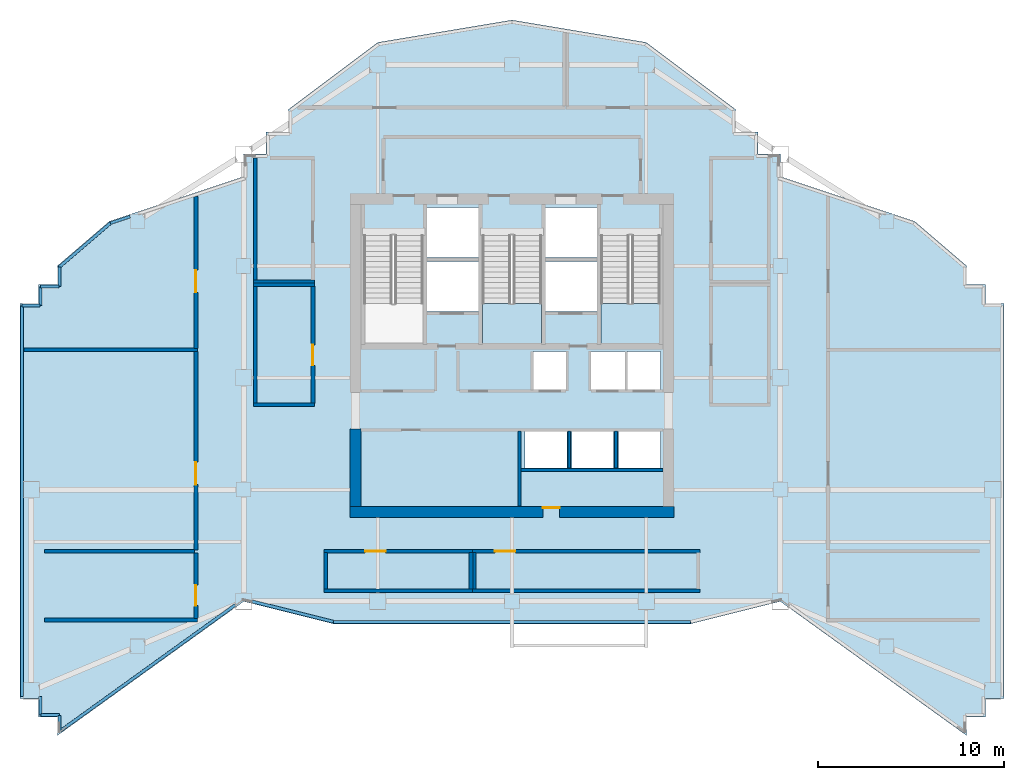
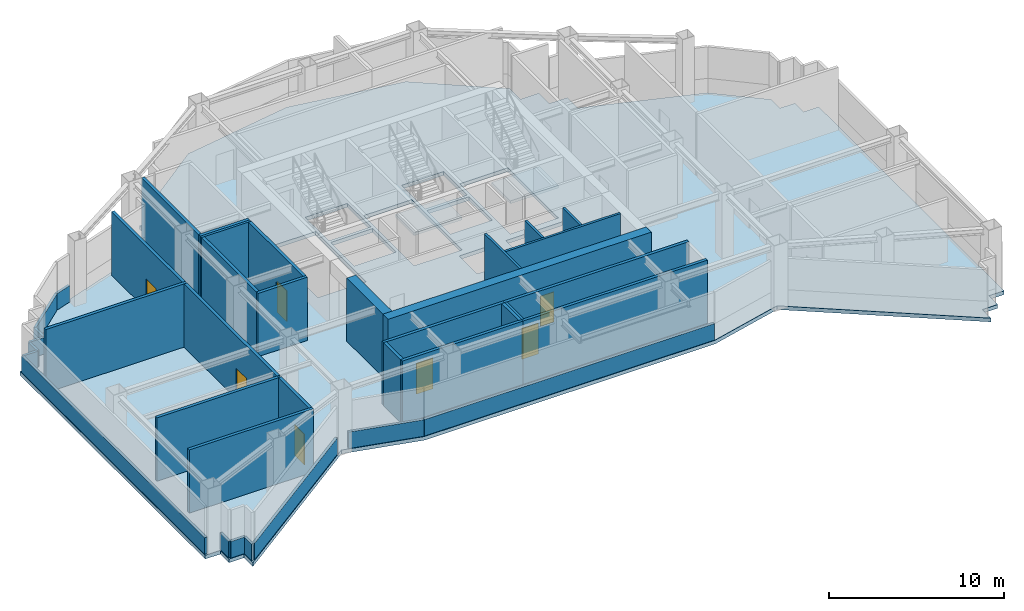
# One storey, part 2 of 9: 38 walls, 7 doors, 3 slabs, 7 openings, 2 elements without a shape of their own.
"""IFC4 building model written with IfcOpenShell, lengths in metres."""

from ifc_helpers import new_model, si_unit, direction, frame, frame_2d, origin, place, context, subcontext, project, spatial, polyline, rectangle, outline, extrude, material, layer, layer_set, type_object, element, fill, aggregate, save


model = new_model("IFC4")

# Units and contexts
model_context = context("Model", 3, precision=1e-05, world=origin(), true_north=direction((0.0, 1.0)))
body_context = subcontext(model_context, "Body", "Model", "MODEL_VIEW")
ifc_project = project(units=[si_unit("LENGTHUNIT", "METRE"), si_unit("AREAUNIT", "SQUARE_METRE"), si_unit("VOLUMEUNIT", "CUBIC_METRE"), si_unit("PLANEANGLEUNIT", "RADIAN"), si_unit("MASSUNIT", "GRAM", prefix="KILO")], contexts=[model_context])

# Site, building, storey
site_placement = place(None, origin())
site = spatial("IfcSite", under=ifc_project, at=site_placement, CompositionType="ELEMENT")
building_placement = place(site_placement, origin())
building = spatial("IfcBuilding", under=site, at=building_placement, Name="Haolan Belvedere Tower", CompositionType="ELEMENT")
storey_placement = place(building_placement, frame((0.0, 0.0, 207.0)))
storey = spatial("IfcBuildingStorey", under=building, at=storey_placement, Name="L52", CompositionType="ELEMENT", Elevation=207.0)

# Slab
ifc_material_1 = material(Name="Concrete C45/55", Category="concrete")
ifc_layer_1 = layer(ifc_material_1, 0.260009765625, Name="Concrete C45/55")
ifc_layer_set_1 = layer_set([ifc_layer_1], Name="Concrete C45/55")
slab_type_1 = type_object("IfcSlabType", Name="SL-FLR-260", PredefinedType="FLOOR", material=ifc_layer_set_1)
slab_1_placement = place(storey_placement, frame((0.0, 0.0, -0.260009765625)))
element("IfcSlab", 1, at=slab_1_placement, inside=storey, type_object=slab_type_1, Name="L52 structural floor slab", PredefinedType="FLOOR", context=body_context, shape_type="SweptSolid", body=[
    extrude(outline(polyline([(24.0, 21.60009765625), (28.800048828125, 20.39990234375), (48.0, 20.39990234375), (52.800048828125, 21.60009765625), (62.800048828125, 14.39990234375), (62.800048828125, 15.39990234375), (63.800048828125, 15.39990234375), (63.800048828125, 16.39990234375), (64.800048828125, 16.39990234375), (64.800048828125, 37.60009765625), (63.800048828125, 37.60009765625), (63.800048828125, 38.60009765625), (62.800048828125, 38.60009765625), (62.800048828125, 39.60009765625), (60.0, 42.0), (52.800048828125, 44.39990234375), (52.800048828125, 45.60009765625), (51.60009765625, 45.60009765625), (51.60009765625, 46.800048828125), (50.39990234375, 46.800048828125), (50.39990234375, 48.0), (45.60009765625, 51.60009765625), (38.39990234375, 52.800048828125), (31.199951171875, 51.60009765625), (26.39990234375, 48.0), (26.39990234375, 46.800048828125), (25.199951171875, 46.800048828125), (25.199951171875, 45.60009765625), (24.0, 45.60009765625), (24.0, 44.39990234375), (16.800048828125, 42.0), (14.0, 39.60009765625), (14.0, 38.60009765625), (13.0, 38.60009765625), (13.0, 37.60009765625), (12.0, 37.60009765625), (12.0, 16.800048828125), (12.0, 16.39990234375), (13.0, 16.39990234375), (13.0, 15.39990234375), (14.0, 15.39990234375), (14.0, 14.39990234375), (24.0, 21.60009765625)]), holes=[polyline([(30.449951171875, 41.22998046875), (30.449951171875, 35.449951171875), (33.6298828125, 35.449951171875), (33.6298828125, 41.22998046875), (30.449951171875, 41.22998046875)]), polyline([(36.81005859375, 41.22998046875), (36.81005859375, 35.449951171875), (39.989990234375, 35.449951171875), (39.989990234375, 41.22998046875), (36.81005859375, 41.22998046875)]), polyline([(43.169921875, 41.22998046875), (43.169921875, 35.449951171875), (46.35009765625, 35.449951171875), (46.35009765625, 41.22998046875), (43.169921875, 41.22998046875)]), polyline([(33.830078125, 40.050048828125), (36.610107421875, 40.050048828125), (36.610107421875, 42.75), (33.830078125, 42.75), (33.830078125, 40.050048828125)]), polyline([(33.830078125, 37.14990234375), (36.610107421875, 37.14990234375), (36.610107421875, 39.85009765625), (33.830078125, 39.85009765625), (33.830078125, 37.14990234375)]), polyline([(40.18994140625, 40.050048828125), (42.969970703125, 40.050048828125), (42.969970703125, 42.75), (40.18994140625, 42.75), (40.18994140625, 40.050048828125)]), polyline([(40.18994140625, 37.14990234375), (42.969970703125, 37.14990234375), (42.969970703125, 39.85009765625), (40.18994140625, 39.85009765625), (40.18994140625, 37.14990234375)]), polyline([(39.5400390625, 32.949951171875), (41.389892578125, 32.949951171875), (41.389892578125, 35.0), (39.5400390625, 35.0), (39.5400390625, 32.949951171875)]), polyline([(42.6201171875, 32.949951171875), (44.469970703125, 32.949951171875), (44.469970703125, 35.0), (42.6201171875, 35.0), (42.6201171875, 32.949951171875)]), polyline([(44.580078125, 32.949951171875), (46.3798828125, 32.949951171875), (46.3798828125, 35.0), (44.580078125, 35.0), (44.580078125, 32.949951171875)]), polyline([(39.10009765625, 28.75), (41.340087890625, 28.75), (41.340087890625, 30.75), (39.10009765625, 30.75), (39.10009765625, 28.75)]), polyline([(41.610107421875, 28.75), (43.85009765625, 28.75), (43.85009765625, 30.75), (41.610107421875, 30.75), (41.610107421875, 28.75)]), polyline([(44.1201171875, 28.75), (46.360107421875, 28.75), (46.360107421875, 30.75), (44.1201171875, 30.75), (44.1201171875, 28.75)])]), origin(), (0.0, 0.0, 1.0), 0.260009765625),
])

# Stair, slab
ifc_material_2 = material(Name="Concrete C40/50", Category="concrete")
stair_type = type_object("IfcStairType", Name="STR-DL-28R-164", PredefinedType="HALF_TURN_STAIR", material=ifc_material_2)
stair_1_placement = place(storey_placement, origin())
stair_1 = element("IfcStair", 2, at=stair_1_placement, inside=storey, type_object=stair_type, Name="L52 Smokeproof Core Exit Stair ST3", PredefinedType="HALF_TURN_STAIR")
ifc_layer_2 = layer(ifc_material_2, 0.199951171875, Name="Concrete C40/50")
ifc_layer_set_2 = layer_set([ifc_layer_2], Name="Concrete C40/50")
slab_type_2 = type_object("IfcSlabType", Name="SL-LAND-200", PredefinedType="LANDING", material=ifc_layer_set_2)
slab_2_placement = place(storey_placement, frame((0.0, 0.0, 2.10009765625)))
slab_2 = element("IfcSlab", 3, at=slab_2_placement, type_object=slab_type_2, Name="ST3 landing 1", PredefinedType="LANDING", context=body_context, shape_type="SweptSolid", body=[
    extrude(outline(polyline([(36.81005859375, 37.590087890625), (36.81005859375, 35.449951171875), (39.989990234375, 35.449951171875), (39.989990234375, 37.590087890625), (36.81005859375, 37.590087890625)])), origin(), (0.0, 0.0, 1.0), 0.199951171875),
])
aggregate(stair_1, [slab_2])

stair_2_placement = place(storey_placement, origin())
stair_2 = element("IfcStair", 4, at=stair_2_placement, inside=storey, type_object=stair_type, Name="L52 Smokeproof Core Exit Stair ST2", PredefinedType="HALF_TURN_STAIR")
slab_3_placement = place(storey_placement, frame((0.0, 0.0, 2.10009765625)))
slab_3 = element("IfcSlab", 5, at=slab_3_placement, type_object=slab_type_2, Name="ST2 landing 1", PredefinedType="LANDING", context=body_context, shape_type="SweptSolid", body=[
    extrude(outline(polyline([(43.169921875, 37.590087890625), (43.169921875, 35.449951171875), (46.35009765625, 35.449951171875), (46.35009765625, 37.590087890625), (43.169921875, 37.590087890625)])), origin(), (0.0, 0.0, 1.0), 0.199951171875),
])
aggregate(stair_2, [slab_3])

# Wall, opening, door
ifc_material_3 = material(Name="Concrete C60/75", Category="concrete")
ifc_layer_3 = layer(ifc_material_3, 0.60009765625, Name="Concrete C60/75")
ifc_layer_set_3 = layer_set([ifc_layer_3], Name="Concrete C60/75")
wall_type_1 = type_object("IfcWallType", Name="WL-CORE-600", PredefinedType="SHEAR", material=ifc_layer_set_3)
wall_1_placement = place(storey_placement, frame((29.699951171875, 26.39990234375, 0.0), z_axis=(0.0, 0.0, 1.0), x_axis=(1.0, 0.0, 0.0)))
wall_1 = element("IfcWall", 6, at=wall_1_placement, inside=storey, type_object=wall_type_1, Name="L52 central core south shear wall", PredefinedType="SHEAR", context=body_context, shape_type="SweptSolid", body=[
    extrude(rectangle(XDim=17.400146484375, YDim=0.60009765625, at=frame_2d((8.7001953125, 0.0))), origin(), (0.0, 0.0, 1.0), 4.419921875),
])
opening_1_placement = place(wall_1_placement, frame((11.25, 0.0, 0.0), z_axis=(0.0, 0.0, 1.0), x_axis=(-1.0, 0.0, 0.0)))
opening_1 = element("IfcOpeningElement", 7, at=opening_1_placement, cuts=wall_1, Name="Opening FD-05", PredefinedType="OPENING", context=body_context, shape_type="SweptSolid", body=[
    extrude(rectangle(XDim=0.89990234375, YDim=2.10009765625, at=frame_2d((0.449951171875, 1.050048828125))), frame((0.0, 0.31005859375, 0.0), z_axis=(0.0, -1.0, 0.0), x_axis=(1.0, 0.0, 0.0)), (0.0, 0.0, 1.0), 0.6201171875),
])
ifc_material_4 = material(Name="Galvanised fire-rated steel", Category="steel")
door_type_1 = type_object("IfcDoorType", Name="DR-FD60-900", OperationType="NOTDEFINED", PredefinedType="DOOR", material=ifc_material_4)
door_1_placement = place(opening_1_placement, origin())
door_1 = element("IfcDoor", 8, at=door_1_placement, inside=storey, type_object=door_type_1, Name="L52 door CD-L52-SCVE", OperationType="SINGLE_SWING_RIGHT", OverallHeight=2.10009765625, OverallWidth=0.89990234375, PredefinedType="DOOR", context=body_context, shape_type="SweptSolid", body=[
    extrude(rectangle(XDim=0.89990234375, YDim=2.10009765625, at=frame_2d((0.449951171875, 1.050048828125))), frame((0.0, -0.19482421875, 0.0), z_axis=(0.0, -1.0, 0.0), x_axis=(1.0, 0.0, 0.0)), (0.0, 0.0, 1.0), 0.050048828125),
])
fill(opening_1, door_1)

# Walls
wall_2_placement = place(storey_placement, frame((30.0, 26.699951171875, 0.0), z_axis=(0.0, 0.0, 1.0), x_axis=(0.0, 1.0, 0.0)))
element("IfcWall", 9, at=wall_2_placement, inside=storey, type_object=wall_type_1, Name="L52 central core shear wall WS", PredefinedType="SHEAR", context=body_context, shape_type="SweptSolid", body=[
    extrude(rectangle(XDim=4.150146484375, YDim=0.60009765625, at=frame_2d((2.0751953125, 0.0))), origin(), (0.0, 0.0, 1.0), 4.419921875),
])
ifc_layer_4 = layer(ifc_material_2, 0.199951171875, Name="Concrete C40/50")
ifc_layer_set_4 = layer_set([ifc_layer_4], Name="Concrete C40/50")
wall_type_2 = type_object("IfcWallType", Name="WL-FIRE-200", PredefinedType="SOLIDWALL", material=ifc_layer_set_4)
wall_3_placement = place(storey_placement, frame((12.2119140625, 35.10009765625, 0.0), z_axis=(0.0, 0.0, 1.0), x_axis=(1.0, 0.0, 0.0)))
element("IfcWall", 10, at=wall_3_placement, inside=storey, type_object=wall_type_2, Name="L52 interior partition IW-L52-REF-W1-N", PredefinedType="SOLIDWALL", context=body_context, shape_type="SweptSolid", body=[
    extrude(rectangle(XDim=9.30810546875, YDim=0.199951171875, at=frame_2d((4.654052734375, 0.0))), origin(), (0.0, 0.0, 1.0), 4.419921875),
])

# Wall, opening, door
wall_4_placement = place(storey_placement, frame((21.43994140625, 24.3701171875, 0.0), z_axis=(0.0, 0.0, 1.0), x_axis=(0.0, 1.0, 0.0)))
wall_4 = element("IfcWall", 11, at=wall_4_placement, inside=storey, type_object=wall_type_2, Name="L52 interior partition IW-L52-REF-W1-E", PredefinedType="SOLIDWALL", context=body_context, shape_type="SweptSolid", body=[
    extrude(rectangle(XDim=10.644775390625, YDim=0.199951171875, at=frame_2d((5.322265625, 0.0))), origin(), (0.0, 0.0, 1.0), 4.419921875),
])
opening_2_placement = place(wall_4_placement, frame((4.699951171875, 0.0, 0.0), z_axis=(0.0, 0.0, 1.0), x_axis=(-1.0, 0.0, 0.0)))
opening_2 = element("IfcOpeningElement", 12, at=opening_2_placement, cuts=wall_4, Name="Opening FD-02", PredefinedType="OPENING", context=body_context, shape_type="SweptSolid", body=[
    extrude(rectangle(XDim=1.199951171875, YDim=2.14990234375, at=frame_2d((0.60009765625, 1.074951171875))), frame((0.0, 0.10986328125, 0.0), z_axis=(0.0, -1.0, 0.0), x_axis=(1.0, 0.0, 0.0)), (0.0, 0.0, 1.0), 0.219970703125),
])
door_type_2 = type_object("IfcDoorType", Name="DR-FD90-1200", OperationType="NOTDEFINED", PredefinedType="DOOR", material=ifc_material_4)
door_2_placement = place(opening_2_placement, origin())
door_2 = element("IfcDoor", 13, at=door_2_placement, inside=storey, type_object=door_type_2, Name="L52 door ID-L52-REF-W1", OperationType="SINGLE_SWING_LEFT", OverallHeight=2.14990234375, OverallWidth=1.199951171875, PredefinedType="DOOR", context=body_context, shape_type="SweptSolid", body=[
    extrude(rectangle(XDim=1.199951171875, YDim=2.14990234375, at=frame_2d((0.60009765625, 1.074951171875))), frame((0.0, 0.02490234375, 0.0), z_axis=(0.0, -1.0, 0.0), x_axis=(1.0, 0.0, 0.0)), (0.0, 0.0, 1.0), 0.050048828125),
])
fill(opening_2, door_2)

wall_5_placement = place(storey_placement, frame((21.43994140625, 35.18505859375, 0.0), z_axis=(0.0, 0.0, 1.0), x_axis=(0.0, 1.0, 0.0)))
wall_5 = element("IfcWall", 14, at=wall_5_placement, inside=storey, type_object=wall_type_2, Name="L52 interior partition IW-L52-REF-W2-E", PredefinedType="SOLIDWALL", context=body_context, shape_type="SweptSolid", body=[
    extrude(rectangle(XDim=8.13818359375, YDim=0.199951171875, at=frame_2d((4.069091796875, 0.0))), origin(), (0.0, 0.0, 1.0), 4.419921875),
])
opening_3_placement = place(wall_5_placement, frame((4.195068359375, 0.0, 0.0), z_axis=(0.0, 0.0, 1.0), x_axis=(-1.0, 0.0, 0.0)))
opening_3 = element("IfcOpeningElement", 15, at=opening_3_placement, cuts=wall_5, Name="Opening FD-02", PredefinedType="OPENING", context=body_context, shape_type="SweptSolid", body=[
    extrude(rectangle(XDim=1.199951171875, YDim=2.14990234375, at=frame_2d((0.60009765625, 1.074951171875))), frame((0.0, 0.10986328125, 0.0), z_axis=(0.0, -1.0, 0.0), x_axis=(1.0, 0.0, 0.0)), (0.0, 0.0, 1.0), 0.219970703125),
])
door_3_placement = place(opening_3_placement, origin())
door_3 = element("IfcDoor", 16, at=door_3_placement, inside=storey, type_object=door_type_2, Name="L52 door ID-L52-REF-W2", OperationType="SINGLE_SWING_RIGHT", OverallHeight=2.14990234375, OverallWidth=1.199951171875, PredefinedType="DOOR", context=body_context, shape_type="SweptSolid", body=[
    extrude(rectangle(XDim=1.199951171875, YDim=2.14990234375, at=frame_2d((0.60009765625, 1.074951171875))), frame((0.0, 0.02490234375, 0.0), z_axis=(0.0, -1.0, 0.0), x_axis=(1.0, 0.0, 0.0)), (0.0, 0.0, 1.0), 0.050048828125),
])
fill(opening_3, door_3)

# Walls
for number, where, z_axis, x_axis, name in (
    (17, (24.5400390625, 38.60009765625, 0.0), (0.0, 0.0, 1.0), (1.0, 0.0, 0.0), "L52 interior partition IW-L52-REF-WI1-N"),
    (18, (24.5400390625, 32.14990234375, 0.0), (0.0, 0.0, 1.0), (1.0, 0.0, 0.0), "L52 interior partition IW-L52-REF-WI1-S"),
):
    element("IfcWall", number, at=place(storey_placement, frame(where, z_axis=z_axis, x_axis=x_axis)), inside=storey, type_object=wall_type_2, Name=name, PredefinedType="SOLIDWALL", context=body_context, shape_type="SweptSolid", body=[
        extrude(rectangle(XDim=3.260009765625, YDim=0.199951171875, at=frame_2d((1.6298828125, 0.0))), origin(), (0.0, 0.0, 1.0), 4.419921875),
    ])
wall_6_placement = place(storey_placement, frame((24.6201171875, 32.235107421875, 0.0), z_axis=(0.0, 0.0, 1.0), x_axis=(0.0, 1.0, 0.0)))
element("IfcWall", 19, at=wall_6_placement, inside=storey, type_object=wall_type_2, Name="L52 interior partition IW-L52-REF-WI1-W", PredefinedType="SOLIDWALL", context=body_context, shape_type="SweptSolid", body=[
    extrude(rectangle(XDim=6.27978515625, YDim=0.199951171875, at=frame_2d((3.139892578125, 0.0))), origin(), (0.0, 0.0, 1.0), 4.419921875),
])

# Wall, opening, door
wall_7_placement = place(storey_placement, frame((27.719970703125, 32.235107421875, 0.0), z_axis=(0.0, 0.0, 1.0), x_axis=(0.0, 1.0, 0.0)))
wall_7 = element("IfcWall", 20, at=wall_7_placement, inside=storey, type_object=wall_type_2, Name="L52 interior partition IW-L52-REF-WI1-E", PredefinedType="SOLIDWALL", context=body_context, shape_type="SweptSolid", body=[
    extrude(rectangle(XDim=6.27978515625, YDim=0.199951171875, at=frame_2d((3.139892578125, 0.0))), origin(), (0.0, 0.0, 1.0), 4.419921875),
])
opening_4_placement = place(wall_7_placement, frame((3.135009765625, 0.0, 0.0), z_axis=(0.0, 0.0, 1.0), x_axis=(-1.0, 0.0, 0.0)))
opening_4 = element("IfcOpeningElement", 21, at=opening_4_placement, cuts=wall_7, Name="Opening FD-03", PredefinedType="OPENING", context=body_context, shape_type="SweptSolid", body=[
    extrude(rectangle(XDim=1.10009765625, YDim=2.14990234375, at=frame_2d((0.550048828125, 1.074951171875))), frame((0.0, 0.10986328125, 0.0), z_axis=(0.0, -1.0, 0.0), x_axis=(1.0, 0.0, 0.0)), (0.0, 0.0, 1.0), 0.219970703125),
])
door_type_3 = type_object("IfcDoorType", Name="DR-FD90-1100", OperationType="NOTDEFINED", PredefinedType="DOOR", material=ifc_material_4)
door_4_placement = place(opening_4_placement, origin())
door_4 = element("IfcDoor", 22, at=door_4_placement, inside=storey, type_object=door_type_3, Name="L52 door ID-L52-REF-WI1", OperationType="SINGLE_SWING_LEFT", OverallHeight=2.14990234375, OverallWidth=1.10009765625, PredefinedType="DOOR", context=body_context, shape_type="SweptSolid", body=[
    extrude(rectangle(XDim=1.10009765625, YDim=2.14990234375, at=frame_2d((0.550048828125, 1.074951171875))), frame((0.0, 0.02490234375, 0.0), z_axis=(0.0, -1.0, 0.0), x_axis=(1.0, 0.0, 0.0)), (0.0, 0.0, 1.0), 0.050048828125),
])
fill(opening_4, door_4)

# Walls
wall_8_placement = place(storey_placement, frame((24.5400390625, 38.760009765625, 0.0), z_axis=(0.0, 0.0, 1.0), x_axis=(1.0, 0.0, 0.0)))
element("IfcWall", 23, at=wall_8_placement, inside=storey, type_object=wall_type_2, Name="L52 interior partition IW-L52-REF-WI2-S", PredefinedType="SOLIDWALL", context=body_context, shape_type="SweptSolid", body=[
    extrude(rectangle(XDim=3.260009765625, YDim=0.199951171875, at=frame_2d((1.6298828125, 0.0))), origin(), (0.0, 0.0, 1.0), 4.419921875),
])
wall_9_placement = place(storey_placement, frame((24.6201171875, 38.844970703125, 0.0), z_axis=(0.0, 0.0, 1.0), x_axis=(0.0, 1.0, 0.0)))
element("IfcWall", 24, at=wall_9_placement, inside=storey, type_object=wall_type_2, Name="L52 interior partition IW-L52-REF-WI2-W", PredefinedType="SOLIDWALL", context=body_context, shape_type="SweptSolid", body=[
    extrude(rectangle(XDim=6.54296875, YDim=0.199951171875, at=frame_2d((3.271484375, 0.0))), origin(), (0.0, 0.0, 1.0), 4.419921875),
])

# Wall, opening, door
wall_10_placement = place(storey_placement, frame((28.320068359375, 24.300048828125, 0.0), z_axis=(0.0, 0.0, 1.0), x_axis=(1.0, 0.0, 0.0)))
wall_10 = element("IfcWall", 25, at=wall_10_placement, inside=storey, type_object=wall_type_2, Name="L52 interior partition IW-L52-PLT-AHU-N", PredefinedType="SOLIDWALL", context=body_context, shape_type="SweptSolid", body=[
    extrude(rectangle(XDim=7.9599609375, YDim=0.199951171875, at=frame_2d((3.97998046875, 0.0))), origin(), (0.0, 0.0, 1.0), 4.419921875),
])
opening_5_placement = place(wall_10_placement, frame((3.300048828125, 0.0, 0.0), z_axis=(0.0, 0.0, 1.0), x_axis=(-1.0, 0.0, 0.0)))
opening_5 = element("IfcOpeningElement", 26, at=opening_5_placement, cuts=wall_10, Name="Opening FD-03", PredefinedType="OPENING", context=body_context, shape_type="SweptSolid", body=[
    extrude(rectangle(XDim=1.10009765625, YDim=2.14990234375, at=frame_2d((0.550048828125, 1.074951171875))), frame((0.0, 0.10986328125, 0.0), z_axis=(0.0, -1.0, 0.0), x_axis=(1.0, 0.0, 0.0)), (0.0, 0.0, 1.0), 0.219970703125),
])
door_5_placement = place(opening_5_placement, origin())
door_5 = element("IfcDoor", 27, at=door_5_placement, inside=storey, type_object=door_type_3, Name="L52 door ID-L52-PLT-AHU", OperationType="SINGLE_SWING_LEFT", OverallHeight=2.14990234375, OverallWidth=1.10009765625, PredefinedType="DOOR", context=body_context, shape_type="SweptSolid", body=[
    extrude(rectangle(XDim=1.10009765625, YDim=2.14990234375, at=frame_2d((0.550048828125, 1.074951171875))), frame((0.0, 0.02490234375, 0.0), z_axis=(0.0, -1.0, 0.0), x_axis=(1.0, 0.0, 0.0)), (0.0, 0.0, 1.0), 0.050048828125),
])
fill(opening_5, door_5)

# Walls
wall_11_placement = place(storey_placement, frame((28.320068359375, 22.179931640625, 0.0), z_axis=(0.0, 0.0, 1.0), x_axis=(1.0, 0.0, 0.0)))
element("IfcWall", 28, at=wall_11_placement, inside=storey, type_object=wall_type_2, Name="L52 interior partition IW-L52-PLT-AHU-S", PredefinedType="SOLIDWALL", context=body_context, shape_type="SweptSolid", body=[
    extrude(rectangle(XDim=7.9599609375, YDim=0.199951171875, at=frame_2d((3.97998046875, 0.0))), origin(), (0.0, 0.0, 1.0), 4.419921875),
])
for number, where, z_axis, x_axis, name in (
    (29, (28.39990234375, 22.264892578125, 0.0), (0.0, 0.0, 1.0), (0.0, 1.0, 0.0), "L52 interior partition IW-L52-PLT-AHU-W"),
    (30, (36.199951171875, 22.264892578125, 0.0), (0.0, 0.0, 1.0), (0.0, 1.0, 0.0), "L52 interior partition IW-L52-PLT-AHU-E"),
):
    element("IfcWall", number, at=place(storey_placement, frame(where, z_axis=z_axis, x_axis=x_axis)), inside=storey, type_object=wall_type_2, Name=name, PredefinedType="SOLIDWALL", context=body_context, shape_type="SweptSolid", body=[
        extrude(rectangle(XDim=1.9501953125, YDim=0.199951171875, at=frame_2d((0.97509765625, 0.0))), origin(), (0.0, 0.0, 1.0), 4.419921875),
    ])

# Wall, opening, door
wall_12_placement = place(storey_placement, frame((36.284912109375, 24.300048828125, 0.0), z_axis=(0.0, 0.0, 1.0), x_axis=(1.0, 0.0, 0.0)))
wall_12 = element("IfcWall", 31, at=wall_12_placement, inside=storey, type_object=wall_type_2, Name="L52 interior partition IW-L52-PLT-CHW-N", PredefinedType="SOLIDWALL", context=body_context, shape_type="SweptSolid", body=[
    extrude(rectangle(XDim=12.195068359375, YDim=0.199951171875, at=frame_2d((6.09765625, 0.0))), origin(), (0.0, 0.0, 1.0), 4.419921875),
])
opening_6_placement = place(wall_12_placement, frame((2.295166015625, 0.0, 0.0), z_axis=(0.0, 0.0, 1.0), x_axis=(-1.0, 0.0, 0.0)))
opening_6 = element("IfcOpeningElement", 32, at=opening_6_placement, cuts=wall_12, Name="Opening FD-03", PredefinedType="OPENING", context=body_context, shape_type="SweptSolid", body=[
    extrude(rectangle(XDim=1.10009765625, YDim=2.14990234375, at=frame_2d((0.550048828125, 1.074951171875))), frame((0.0, 0.10986328125, 0.0), z_axis=(0.0, -1.0, 0.0), x_axis=(1.0, 0.0, 0.0)), (0.0, 0.0, 1.0), 0.219970703125),
])
door_6_placement = place(opening_6_placement, origin())
door_6 = element("IfcDoor", 33, at=door_6_placement, inside=storey, type_object=door_type_3, Name="L52 door ID-L52-PLT-CHW", OperationType="SINGLE_SWING_RIGHT", OverallHeight=2.14990234375, OverallWidth=1.10009765625, PredefinedType="DOOR", context=body_context, shape_type="SweptSolid", body=[
    extrude(rectangle(XDim=1.10009765625, YDim=2.14990234375, at=frame_2d((0.550048828125, 1.074951171875))), frame((0.0, 0.02490234375, 0.0), z_axis=(0.0, -1.0, 0.0), x_axis=(1.0, 0.0, 0.0)), (0.0, 0.0, 1.0), 0.050048828125),
])
fill(opening_6, door_6)

# Walls
wall_13_placement = place(storey_placement, frame((36.284912109375, 22.179931640625, 0.0), z_axis=(0.0, 0.0, 1.0), x_axis=(1.0, 0.0, 0.0)))
element("IfcWall", 34, at=wall_13_placement, inside=storey, type_object=wall_type_2, Name="L52 interior partition IW-L52-PLT-CHW-S", PredefinedType="SOLIDWALL", context=body_context, shape_type="SweptSolid", body=[
    extrude(rectangle(XDim=12.195068359375, YDim=0.199951171875, at=frame_2d((6.09765625, 0.0))), origin(), (0.0, 0.0, 1.0), 4.419921875),
])
wall_14_placement = place(storey_placement, frame((36.360107421875, 22.264892578125, 0.0), z_axis=(0.0, 0.0, 1.0), x_axis=(0.0, 1.0, 0.0)))
element("IfcWall", 35, at=wall_14_placement, inside=storey, type_object=wall_type_2, Name="L52 interior partition IW-L52-PLT-CHW-W", PredefinedType="SOLIDWALL", context=body_context, shape_type="SweptSolid", body=[
    extrude(rectangle(XDim=1.9501953125, YDim=0.199951171875, at=frame_2d((0.97509765625, 0.0))), origin(), (0.0, 0.0, 1.0), 4.419921875),
])
wall_15_placement = place(storey_placement, frame((13.320068359375, 24.2900390625, 0.0), z_axis=(0.0, 0.0, 1.0), x_axis=(1.0, 0.0, 0.0)))
element("IfcWall", 36, at=wall_15_placement, inside=storey, type_object=wall_type_2, Name="L52 interior partition IW-L52-PLT-SUB-N", PredefinedType="SOLIDWALL", context=body_context, shape_type="SweptSolid", body=[
    extrude(rectangle(XDim=8.034912109375, YDim=0.199951171875, at=frame_2d((4.017578125, 0.0))), origin(), (0.0, 0.0, 1.0), 4.419921875),
])
wall_16_placement = place(storey_placement, frame((13.320068359375, 20.60009765625, 0.0), z_axis=(0.0, 0.0, 1.0), x_axis=(1.0, 0.0, 0.0)))
element("IfcWall", 37, at=wall_16_placement, inside=storey, type_object=wall_type_2, Name="L52 interior partition IW-L52-PLT-SUB-S", PredefinedType="SOLIDWALL", context=body_context, shape_type="SweptSolid", body=[
    extrude(rectangle(XDim=8.199951171875, YDim=0.199951171875, at=frame_2d((4.10009765625, 0.0))), origin(), (0.0, 0.0, 1.0), 4.419921875),
])

# Wall, opening, door
wall_17_placement = place(storey_placement, frame((21.43994140625, 20.68505859375, 0.0), z_axis=(0.0, 0.0, 1.0), x_axis=(0.0, 1.0, 0.0)))
wall_17 = element("IfcWall", 38, at=wall_17_placement, inside=storey, type_object=wall_type_2, Name="L52 interior partition IW-L52-PLT-SUB-E", PredefinedType="SOLIDWALL", context=body_context, shape_type="SweptSolid", body=[
    extrude(rectangle(XDim=3.52001953125, YDim=0.199951171875, at=frame_2d((1.760009765625, 0.0))), origin(), (0.0, 0.0, 1.0), 4.419921875),
])
opening_7_placement = place(wall_17_placement, frame((1.78515625, 0.0, 0.0), z_axis=(0.0, 0.0, 1.0), x_axis=(-1.0, 0.0, 0.0)))
opening_7 = element("IfcOpeningElement", 39, at=opening_7_placement, cuts=wall_17, Name="Opening FD-03", PredefinedType="OPENING", context=body_context, shape_type="SweptSolid", body=[
    extrude(rectangle(XDim=1.10009765625, YDim=2.14990234375, at=frame_2d((0.550048828125, 1.074951171875))), frame((0.0, 0.10986328125, 0.0), z_axis=(0.0, -1.0, 0.0), x_axis=(1.0, 0.0, 0.0)), (0.0, 0.0, 1.0), 0.219970703125),
])
door_7_placement = place(opening_7_placement, origin())
door_7 = element("IfcDoor", 40, at=door_7_placement, inside=storey, type_object=door_type_3, Name="L52 door ID-L52-PLT-SUB", OperationType="SINGLE_SWING_RIGHT", OverallHeight=2.14990234375, OverallWidth=1.10009765625, PredefinedType="DOOR", context=body_context, shape_type="SweptSolid", body=[
    extrude(rectangle(XDim=1.10009765625, YDim=2.14990234375, at=frame_2d((0.550048828125, 1.074951171875))), frame((0.0, 0.02490234375, 0.0), z_axis=(0.0, -1.0, 0.0), x_axis=(1.0, 0.0, 0.0)), (0.0, 0.0, 1.0), 0.050048828125),
])
fill(opening_7, door_7)

# Walls
ifc_material_5 = material(Name="Precast concrete C40/50", Category="concrete")
ifc_layer_5 = layer(ifc_material_5, 0.159912109375, Name="Precast concrete C40/50")
ifc_layer_set_5 = layer_set([ifc_layer_5], Name="Precast concrete C40/50")
wall_type_3 = type_object("IfcWallType", Name="WL-PAR-160", PredefinedType="PARAPET", material=ifc_layer_set_5)
wall_18_placement = place(storey_placement, frame((28.8134765625, 20.510009765625, 0.0), z_axis=(0.0, 0.0, 1.0), x_axis=(1.0, 0.0, 0.0)))
element("IfcWall", 41, at=wall_18_placement, inside=storey, type_object=wall_type_3, Name="L52 refuge open-band parapet 1.1", PredefinedType="PARAPET", context=body_context, shape_type="SweptSolid", body=[
    extrude(rectangle(XDim=19.173095703125, YDim=0.159912109375, at=frame_2d((9.58642578125, 0.0))), origin(), (0.0, 0.0, 1.0), 1.14990234375),
])
wall_19_placement = place(storey_placement, frame((17.907958984375, 42.25341796875, 0.0), z_axis=(0.0, 0.0, 1.0), x_axis=(-0.948705297269, -0.316161760709, 0.0)))
element("IfcWall", 42, at=wall_19_placement, inside=storey, type_object=wall_type_3, Name="L52 refuge open-band parapet 29.2", PredefinedType="PARAPET", context=body_context, shape_type="SweptSolid", body=[
    extrude(rectangle(XDim=1.109619140625, YDim=0.159912109375, at=frame_2d((0.5546875, 0.0))), origin(), (0.0, 0.0, 1.0), 1.14990234375),
])
wall_20_placement = place(storey_placement, frame((16.855224609375, 41.902587890625, 0.0), z_axis=(0.0, 0.0, 1.0), x_axis=(-0.759213704594, -0.650841417518, 0.0)))
element("IfcWall", 43, at=wall_20_placement, inside=storey, type_object=wall_type_3, Name="L52 refuge open-band parapet 30.1", PredefinedType="PARAPET", context=body_context, shape_type="SweptSolid", body=[
    extrude(rectangle(XDim=3.61572265625, YDim=0.159912109375, at=frame_2d((1.807861328125, 0.0))), origin(), (0.0, 0.0, 1.0), 1.14990234375),
])
wall_21_placement = place(storey_placement, frame((14.110107421875, 39.54931640625, 0.0), z_axis=(0.0, 0.0, 1.0), x_axis=(0.0, -1.0, 0.0)))
element("IfcWall", 44, at=wall_21_placement, inside=storey, type_object=wall_type_3, Name="L52 refuge open-band parapet 31.1", PredefinedType="PARAPET", context=body_context, shape_type="SweptSolid", body=[
    extrude(rectangle(XDim=1.059326171875, YDim=0.159912109375, at=frame_2d((0.52978515625, 0.0))), origin(), (0.0, 0.0, 1.0), 1.14990234375),
])
for number, where, z_axis, x_axis, name in (
    (45, (14.080078125, 38.489990234375, 0.0), (0.0, 0.0, 1.0), (-1.0, 0.0, 0.0), "L52 refuge open-band parapet 32.1"),
    (46, (13.110107421875, 38.4599609375, 0.0), (0.0, 0.0, 1.0), (0.0, -1.0, 0.0), "L52 refuge open-band parapet 33.1"),
    (47, (13.080078125, 37.489990234375, 0.0), (0.0, 0.0, 1.0), (-1.0, 0.0, 0.0), "L52 refuge open-band parapet 34.1"),
):
    element("IfcWall", number, at=place(storey_placement, frame(where, z_axis=z_axis, x_axis=x_axis)), inside=storey, type_object=wall_type_3, Name=name, PredefinedType="PARAPET", context=body_context, shape_type="SweptSolid", body=[
        extrude(rectangle(XDim=0.969970703125, YDim=0.159912109375, at=frame_2d((0.48486328125, 0.0))), origin(), (0.0, 0.0, 1.0), 1.14990234375),
    ])
wall_22_placement = place(storey_placement, frame((12.110107421875, 37.4599609375, 0.0), z_axis=(0.0, 0.0, 1.0), x_axis=(0.0, -1.0, 0.0)))
element("IfcWall", 48, at=wall_22_placement, inside=storey, type_object=wall_type_3, Name="L52 refuge open-band parapet 35.1", PredefinedType="PARAPET", context=body_context, shape_type="SweptSolid", body=[
    extrude(rectangle(XDim=20.949951171875, YDim=0.159912109375, at=frame_2d((10.47509765625, 0.0))), origin(), (0.0, 0.0, 1.0), 1.14990234375),
])
wall_23_placement = place(storey_placement, frame((13.110107421875, 16.510009765625, 0.0), z_axis=(0.0, 0.0, 1.0), x_axis=(0.0, -1.0, 0.0)))
element("IfcWall", 49, at=wall_23_placement, inside=storey, type_object=wall_type_3, Name="L52 refuge open-band parapet 37.1", PredefinedType="PARAPET", context=body_context, shape_type="SweptSolid", body=[
    extrude(rectangle(XDim=1.0, YDim=0.159912109375, at=frame_2d((0.5, 0.0))), origin(), (0.0, 0.0, 1.0), 1.14990234375),
])
wall_24_placement = place(storey_placement, frame((13.139892578125, 15.510009765625, 0.0), z_axis=(0.0, 0.0, 1.0), x_axis=(1.0, 0.0, 0.0)))
element("IfcWall", 50, at=wall_24_placement, inside=storey, type_object=wall_type_3, Name="L52 refuge open-band parapet 38.1", PredefinedType="PARAPET", context=body_context, shape_type="SweptSolid", body=[
    extrude(rectangle(XDim=0.97021484375, YDim=0.159912109375, at=frame_2d((0.485107421875, 0.0))), origin(), (0.0, 0.0, 1.0), 1.14990234375),
])
wall_25_placement = place(storey_placement, frame((14.110107421875, 15.47998046875, 0.0), z_axis=(0.0, 0.0, 1.0), x_axis=(0.0, -1.0, 0.0)))
element("IfcWall", 51, at=wall_25_placement, inside=storey, type_object=wall_type_3, Name="L52 refuge open-band parapet 39.1", PredefinedType="PARAPET", context=body_context, shape_type="SweptSolid", body=[
    extrude(rectangle(XDim=0.865234375, YDim=0.159912109375, at=frame_2d((0.4326171875, 0.0))), origin(), (0.0, 0.0, 1.0), 1.14990234375),
])
wall_26_placement = place(storey_placement, frame((14.18310546875, 14.667236328125, 0.0), z_axis=(0.0, 0.0, 1.0), x_axis=(0.811534341451, 0.584304725845, 0.0)))
element("IfcWall", 52, at=wall_26_placement, inside=storey, type_object=wall_type_3, Name="L52 refuge open-band parapet 40.1", PredefinedType="PARAPET", context=body_context, shape_type="SweptSolid", body=[
    extrude(rectangle(XDim=11.55224609375, YDim=0.159912109375, at=frame_2d((5.776123046875, 0.0))), origin(), (0.0, 0.0, 1.0), 1.14990234375),
])
wall_27_placement = place(storey_placement, frame((24.44189453125, 21.602783203125, 0.0), z_axis=(0.0, 0.0, 1.0), x_axis=(0.97014887394, -0.242510128435, 0.0)))
element("IfcWall", 53, at=wall_27_placement, inside=storey, type_object=wall_type_3, Name="L52 refuge open-band parapet 41.1", PredefinedType="PARAPET", context=body_context, shape_type="SweptSolid", body=[
    extrude(rectangle(XDim=4.506103515625, YDim=0.159912109375, at=frame_2d((2.2529296875, 0.0))), origin(), (0.0, 0.0, 1.0), 1.14990234375),
])
ifc_material_6 = material(Name="Double gypsum acoustic stud partition", Category="masonry")
ifc_layer_6 = layer(ifc_material_6, 0.14990234375, Name="Double gypsum acoustic stud partition")
ifc_layer_set_6 = layer_set([ifc_layer_6], Name="Double gypsum acoustic stud partition")
wall_type_4 = type_object("IfcWallType", Name="WL-PART-150", PredefinedType="PARTITIONING", material=ifc_layer_set_6)
wall_28_placement = place(storey_placement, frame((38.860107421875, 28.659912109375, 0.0), z_axis=(0.0, 0.0, 1.0), x_axis=(1.0, 0.0, 0.0)))
element("IfcWall", 54, at=wall_28_placement, inside=storey, type_object=wall_type_4, Name="L52 interior partition IW-L52-SSTRIP-E", PredefinedType="PARTITIONING", context=body_context, shape_type="SweptSolid", body=[
    extrude(rectangle(XDim=7.639892578125, YDim=0.14990234375, at=frame_2d((3.81982421875, 0.0))), origin(), (0.0, 0.0, 1.0), 4.419921875),
])
ifc_material_7 = material(Name="Gypsum fire shaftwall assembly", Category="masonry")
ifc_layer_7 = layer(ifc_material_7, 0.1650390625, Name="Gypsum fire shaftwall assembly")
ifc_layer_set_7 = layer_set([ifc_layer_7], Name="Gypsum fire shaftwall assembly")
wall_type_5 = type_object("IfcWallType", Name="WL-SHAFT-160", PredefinedType="SOLIDWALL", material=ifc_layer_set_7)
wall_29_placement = place(storey_placement, frame((38.800048828125, 26.7099609375, 0.0), z_axis=(0.0, 0.0, 1.0), x_axis=(0.0, 1.0, 0.0)))
element("IfcWall", 55, at=wall_29_placement, inside=storey, type_object=wall_type_5, Name="L52 interior partition IW-L52-DIV-PM-OB", PredefinedType="SOLIDWALL", context=body_context, shape_type="SweptSolid", body=[
    extrude(rectangle(XDim=4.025146484375, YDim=0.14990234375, at=frame_2d((2.0126953125, 0.0))), origin(), (0.0, 0.0, 1.0), 4.419921875),
])
for number, where, z_axis, x_axis, name in (
    (56, (41.469970703125, 28.75, 0.0), (0.0, 0.0, 1.0), (0.0, 1.0, 0.0), "L52 interior partition IW-L52-DIV-OB1"),
    (57, (43.97998046875, 28.75, 0.0), (0.0, 0.0, 1.0), (0.0, 1.0, 0.0), "L52 interior partition IW-L52-DIV-OB2"),
):
    element("IfcWall", number, at=place(storey_placement, frame(where, z_axis=z_axis, x_axis=x_axis)), inside=storey, type_object=wall_type_5, Name=name, PredefinedType="SOLIDWALL", context=body_context, shape_type="SweptSolid", body=[
        extrude(rectangle(XDim=1.985107421875, YDim=0.14990234375, at=frame_2d((0.99267578125, 0.0))), origin(), (0.0, 0.0, 1.0), 4.419921875),
    ])

save(model, "model.ifc")
